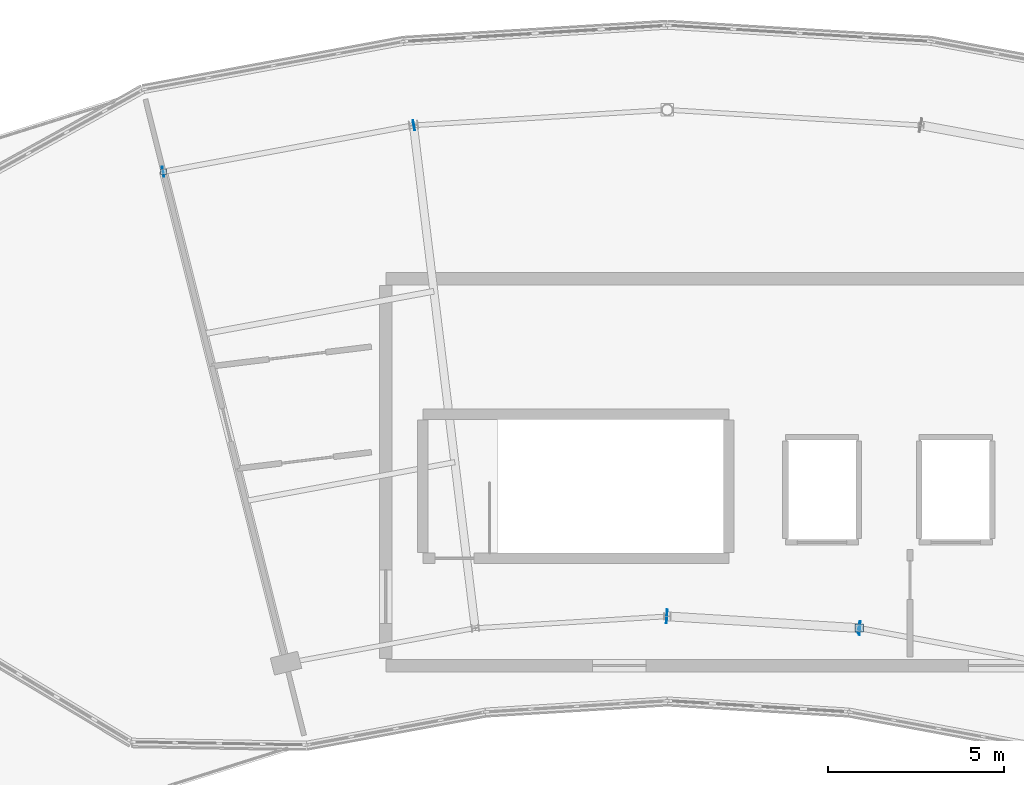
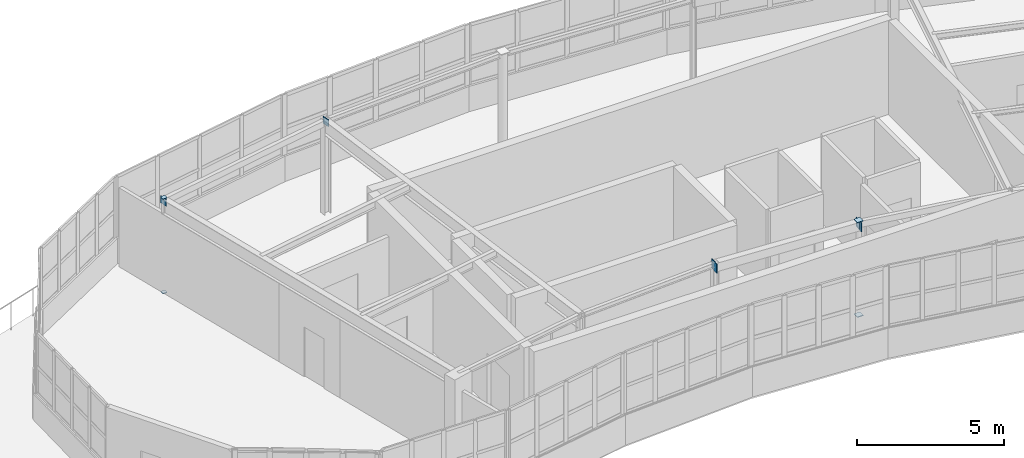
# One storey, part 20 of 26: 9 plates.
"""IFC4 building model written with IfcOpenShell, lengths in metres."""

from ifc_helpers import new_model, si_unit, direction, frame, origin, origin_2d, place, context, subcontext, project, spatial, rectangle, extrude, material, layer, layer_set, type_object, element, save


model = new_model("IFC4")

# Units and contexts
model_context = context("Model", 3, precision=1e-05, world=origin(), true_north=direction((0.0, 1.0)))
body_context = subcontext(model_context, "Body", "Model", "MODEL_VIEW")
ifc_project = project(units=[si_unit("LENGTHUNIT", "METRE"), si_unit("AREAUNIT", "SQUARE_METRE"), si_unit("VOLUMEUNIT", "CUBIC_METRE"), si_unit("PLANEANGLEUNIT", "RADIAN"), si_unit("MASSUNIT", "GRAM", prefix="KILO")], contexts=[model_context])

# Site, building, storey
site_placement = place(None, origin())
site = spatial("IfcSite", under=ifc_project, at=site_placement, CompositionType="ELEMENT")
building_placement = place(site_placement, origin())
building = spatial("IfcBuilding", under=site, at=building_placement, Name="Tarnwether General Hospital", CompositionType="ELEMENT")
storey_placement = place(building_placement, frame((0.0, 0.0, 30.0)))
storey = spatial("IfcBuildingStorey", under=building, at=storey_placement, Name="L07", CompositionType="ELEMENT", Elevation=30.0)

# Plates
ifc_material = material(Name="Steel Grade 350 (350 MPa)", Category="steel")
ifc_layer = layer(ifc_material, 0.02490234375)
ifc_layer_set = layer_set([ifc_layer], Name="Steel Grade 350 (350 MPa)")
plate_type = type_object("IfcPlateType", Name="PT-GUS2", PredefinedType="USERDEFINED", material=ifc_layer_set)
for number, where, z_axis, x_axis, name in (
    (1, (77.677978515625, 120.44189453125, -0.02490234375), (0.0, 0.0, 1.0), (1.0, 0.0, 0.0), "Hollow Section Welded End Cap Plate 0497"),
    (2, (77.677978515625, 120.44189453125, 3.900146484375), (0.0, 0.0, 1.0), (1.0, 0.0, 0.0), "Hollow Section Welded End Cap Plate 0498"),
):
    element("IfcPlate", number, at=place(storey_placement, frame(where, z_axis=z_axis, x_axis=x_axis)), inside=storey, type_object=plate_type, Name=name, ObjectType="GUSSET", PredefinedType="USERDEFINED", context=body_context, shape_type="SweptSolid", body=[
        extrude(rectangle(XDim=0.1650390625, YDim=0.1650390625, at=origin_2d()), origin(), (0.0, 0.0, 1.0), 0.02490234375),
    ])
for number, where, z_axis, x_axis, name in (
    (3, (97.4599609375, 107.466064453125, -0.02490234375), (0.0, 0.0, 1.0), (1.0, 0.0, 0.0), "Hollow Section Welded End Cap Plate 0549"),
    (4, (97.4599609375, 107.466064453125, 3.900146484375), (0.0, 0.0, 1.0), (1.0, 0.0, 0.0), "Hollow Section Welded End Cap Plate 0550"),
):
    element("IfcPlate", number, at=place(storey_placement, frame(where, z_axis=z_axis, x_axis=x_axis)), inside=storey, type_object=plate_type, Name=name, ObjectType="GUSSET", PredefinedType="USERDEFINED", context=body_context, shape_type="SweptSolid", body=[
        extrude(rectangle(XDim=0.23388671875, YDim=0.23388671875, at=origin_2d()), origin(), (0.0, 0.0, 1.0), 0.02490234375),
    ])
for number, where, z_axis, x_axis, name in (
    (5, (77.665771484375, 120.439697265625, 3.6298828125), (0.0, 0.0, 1.0), (0.983261268185, 0.18220120331, 0.0), "Hollow Section Welded End Cap Plate 1077"),
    (6, (84.79736328125, 121.76123046875, 3.6298828125), (0.0, 0.0, 1.0), (0.983261268185, 0.18220120331, 0.0), "Hollow Section Welded End Cap Plate 1078"),
):
    element("IfcPlate", number, at=place(storey_placement, frame(where, z_axis=z_axis, x_axis=x_axis)), inside=storey, type_object=plate_type, Name=name, ObjectType="GUSSET", PredefinedType="USERDEFINED", context=body_context, shape_type="SweptSolid", body=[
        extrude(rectangle(XDim=0.02490234375, YDim=0.2900390625, at=origin_2d()), origin(), (0.0, 0.0, 1.0), 0.2900390625),
    ])
for number, where, z_axis, x_axis, name in (
    (7, (91.987548828125, 107.80078125, 3.5302734375), (0.0, 0.0, 1.0), (0.998133732772, -0.061065960264, 0.0), "Hollow Section Welded End Cap Plate 1079"),
    (8, (97.472412109375, 107.465087890625, 3.5302734375), (0.0, 0.0, 1.0), (0.998133732772, -0.061065960264, 0.0), "Hollow Section Welded End Cap Plate 1080"),
):
    element("IfcPlate", number, at=place(storey_placement, frame(where, z_axis=z_axis, x_axis=x_axis)), inside=storey, type_object=plate_type, Name=name, ObjectType="GUSSET", PredefinedType="USERDEFINED", context=body_context, shape_type="SweptSolid", body=[
        extrude(rectangle(XDim=0.02490234375, YDim=0.389892578125, at=origin_2d()), origin(), (0.0, 0.0, 1.0), 0.389892578125),
    ])
plate_placement = place(storey_placement, frame((97.44775390625, 107.46826171875, 3.6298828125), z_axis=(0.0, 0.0, 1.0), x_axis=(0.983245364386, -0.182287008349, 0.0)))
element("IfcPlate", 9, at=plate_placement, inside=storey, type_object=plate_type, Name="Hollow Section Welded End Cap Plate 1083", ObjectType="GUSSET", PredefinedType="USERDEFINED", context=body_context, shape_type="SweptSolid", body=[
    extrude(rectangle(XDim=0.02490234375, YDim=0.2900390625, at=origin_2d()), origin(), (0.0, 0.0, 1.0), 0.2900390625),
])

save(model, "model.ifc")
